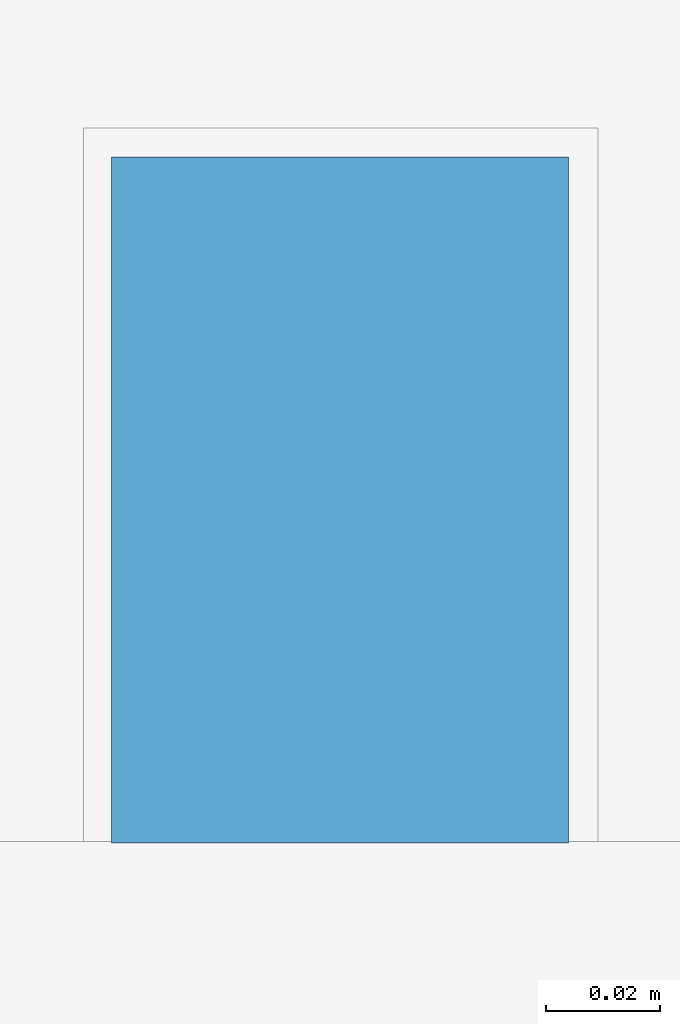
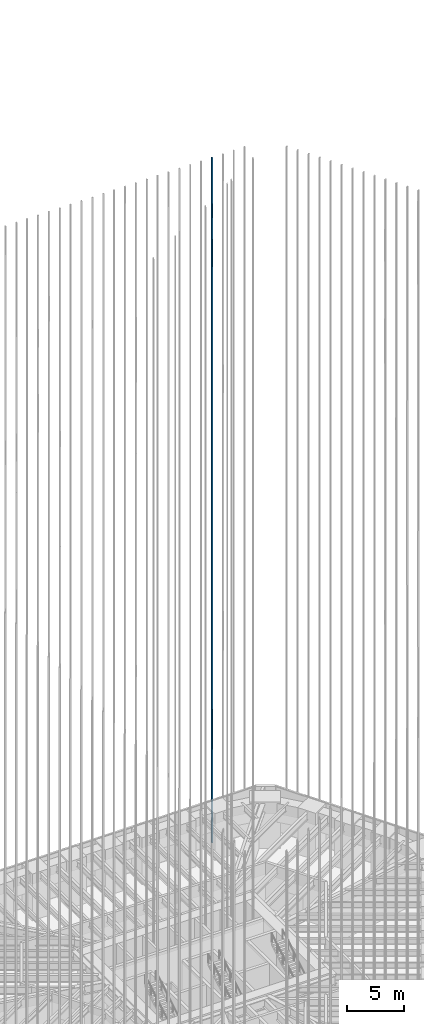
# One storey, part 212 of 228: 1 member, 1 element without a shape of its own.
"""IFC4 building model written with IfcOpenShell, lengths in metres."""

import ifcopenshell
import ifcopenshell.guid

model = None  # the IFC model being written
_history = None  # IfcOwnerHistory: only IFC2X3 demands one
_inside = {}  # id of a spatial element -> (the spatial element, [elements in it])
_under = {}  # id of a project, library or spatial element -> (it, [spatial elements below it])
_declared = {}  # id of a project -> (the project, [libraries it declares])
_typed = {}  # id of a type object -> (the type object, [elements of that type])
_made_of = {}  # id of a material, layer set ... -> (it, [elements and type objects made of it])


def new_model(schema):
    """Start an empty IFC model of exactly this schema.

    Asked for "IFC4X3", IfcOpenShell would pick the latest addendum, in which some entities
    have other attributes; the version numbers below select the first issue.
    IFC2X3 requires an IfcOwnerHistory on every rooted entity: one is made here for all.
    """
    global model, _history
    if schema == "IFC4X3":
        model = ifcopenshell.file(schema_version=(4, 3, 0, 0))
    else:
        model = ifcopenshell.file(schema=schema)
    _inside.clear()
    _under.clear()
    _declared.clear()
    _typed.clear()
    _made_of.clear()
    _history = None
    if model.schema == "IFC2X3":
        org = make("IfcOrganization", Name="unknown")
        user = make(
            "IfcPersonAndOrganization",
            ThePerson=make("IfcPerson", FamilyName="unknown"),
            TheOrganization=org,
        )
        app = make(
            "IfcApplication",
            ApplicationDeveloper=org,
            Version="unknown",
            ApplicationFullName="unknown",
            ApplicationIdentifier="unknown",
        )
        _history = make(
            "IfcOwnerHistory",
            OwningUser=user,
            OwningApplication=app,
            ChangeAction="ADDED",
            CreationDate=0,
        )
    return model


def make(cls, **values):
    """One entity of the class cls with the attributes given. An attribute that is None is left unset."""
    return model.create_entity(
        cls, **{name: value for name, value in values.items() if value is not None}
    )


def rooted(cls, **values):
    """An entity with a GlobalId (a new one), such as an element, a storey or a relation."""
    return make(cls, GlobalId=ifcopenshell.guid.new(), OwnerHistory=_history, **values)


def si_unit(unit_type, name, prefix=None):
    """IfcSIUnit, for example si_unit("LENGTHUNIT", "METRE", prefix="MILLI")."""
    return make("IfcSIUnit", UnitType=unit_type, Prefix=prefix, Name=name)


def assignment(units):
    """IfcUnitAssignment: the units of a project."""
    return None if units is None else make("IfcUnitAssignment", Units=units)


def point(xyz):
    """IfcCartesianPoint."""
    return None if xyz is None else make("IfcCartesianPoint", Coordinates=xyz)


def direction(xyz):
    """IfcDirection."""
    return None if xyz is None else make("IfcDirection", DirectionRatios=xyz)


def frame(location, z_axis=None, x_axis=None):
    """IfcAxis2Placement3D, a coordinate frame: its origin and axes. An axis left out is left unset."""
    return make(
        "IfcAxis2Placement3D",
        Location=point(location),
        Axis=direction(z_axis),
        RefDirection=direction(x_axis),
    )


def frame_2d(location, x_axis=None):
    """IfcAxis2Placement2D, a coordinate frame in the plane: its origin and x axis."""
    return make(
        "IfcAxis2Placement2D", Location=point(location), RefDirection=direction(x_axis)
    )


def origin():
    """The frame at (0, 0, 0) with its axes left unset."""
    return frame((0.0, 0.0, 0.0))


def origin_2d():
    """The frame at (0, 0) in the plane with its x axis left unset."""
    return frame_2d((0.0, 0.0))


def place(relative_to, where):
    """IfcLocalPlacement: puts the frame where relative to a parent placement (None: the world)."""
    return make(
        "IfcLocalPlacement", PlacementRelTo=relative_to, RelativePlacement=where
    )


def context(
    kind, dimensions, precision=None, world=None, true_north=None, identifier=None
):
    """IfcGeometricRepresentationContext, for example the 3D "Model" context."""
    return make(
        "IfcGeometricRepresentationContext",
        ContextIdentifier=identifier,
        ContextType=kind,
        CoordinateSpaceDimension=dimensions,
        Precision=precision,
        WorldCoordinateSystem=world,
        TrueNorth=true_north,
    )


def subcontext(parent, identifier, kind, view, scale=None):
    """IfcGeometricRepresentationSubContext, for example "Body" below "Model"."""
    return make(
        "IfcGeometricRepresentationSubContext",
        ContextIdentifier=identifier,
        ContextType=kind,
        ParentContext=parent,
        TargetScale=scale,
        TargetView=view,
    )


def project(units=None, contexts=None):
    """IfcProject with its units and contexts."""
    return rooted(
        "IfcProject",
        Name="project",
        RepresentationContexts=contexts,
        UnitsInContext=assignment(units),
    )


def spatial(cls, under=None, at=None, **own):
    """A site, building, storey or space (cls), placed at a placement, below another one or the project."""
    s = rooted(cls, ObjectPlacement=at, **own)
    if under is not None:
        _under.setdefault(under.id(), (under, []))[1].append(s)
    return s


def profile(cls, at=None, kind="AREA", **sizes):
    """A parametric profile (cls). Its sizes go by their IFC names, for example OverallWidth=200.0."""
    return make(cls, ProfileType=kind, Position=at, **sizes)


def rectangle(**sizes):
    """IfcRectangleProfileDef."""
    return profile("IfcRectangleProfileDef", **sizes)


def extrude(swept, where, along, depth):
    """IfcExtrudedAreaSolid: the profile swept, set in the frame where, extruded along a direction by depth."""
    return make(
        "IfcExtrudedAreaSolid",
        SweptArea=swept,
        Position=where,
        ExtrudedDirection=direction(along),
        Depth=depth,
    )


def shape(context_of_items, identifier, shape_type, items):
    """IfcShapeRepresentation: the items that make up one representation, for example the "Body"."""
    return make(
        "IfcShapeRepresentation",
        ContextOfItems=context_of_items,
        RepresentationIdentifier=identifier,
        RepresentationType=shape_type,
        Items=items,
    )


def material(Name=None, Category=None):
    """IfcMaterial."""
    return make("IfcMaterial", Name=Name, Category=Category)


def material_profile(
    of_material, cross_section, Name=None, Category=None, Priority=None
):
    """IfcMaterialProfile: a cross section and its material."""
    return make(
        "IfcMaterialProfile",
        Name=Name,
        Material=of_material,
        Profile=cross_section,
        Priority=Priority,
        Category=Category,
    )


def profile_set(profiles, Name=None, composite=None):
    """IfcMaterialProfileSet."""
    return make(
        "IfcMaterialProfileSet",
        Name=Name,
        MaterialProfiles=profiles,
        CompositeProfile=composite,
    )


def made_of(thing, what):
    """Note that an element or type object is made of a material, layer set ...; save() writes the relation."""
    if what is not None:
        _made_of.setdefault(what.id(), (what, []))[1].append(thing)
    return thing


def type_object(cls, material=None, **own):
    """A type object (cls), such as IfcWallType, which elements share."""
    return made_of(rooted(cls, **own), material)


def element(
    cls,
    number,
    at=None,
    inside=None,
    cuts=None,
    type_object=None,
    material=None,
    context=None,
    identifier="Body",
    shape_type=None,
    held_by="IfcProductDefinitionShape",
    body=None,
    shapes=None,
    **own,
):
    """One element of the class cls, such as IfcWall. Its Tag is "e" and its number.

    at: its placement. inside: the storey or other place that contains it. cuts: it is an
    opening in that element (IfcRelVoidsElement). A single representation is given by context,
    identifier, shape_type and body (its items); several are given by shapes. held_by: the class
    of the entity that holds the representations. save() writes the other relations.
    """
    e = rooted(cls, Tag="e%d" % number, ObjectPlacement=at, **own)
    if body is not None:
        shapes = [shape(context, identifier, shape_type, body)]
    if shapes is not None:
        e.Representation = make(held_by, Representations=shapes)
    if inside is not None:
        _inside.setdefault(inside.id(), (inside, []))[1].append(e)
    if cuts is not None:
        rooted(
            "IfcRelVoidsElement", RelatingBuildingElement=cuts, RelatedOpeningElement=e
        )
    if type_object is not None:
        _typed.setdefault(type_object.id(), (type_object, []))[1].append(e)
    return made_of(e, material)


def aggregate(whole, parts):
    """IfcRelAggregates: a whole, such as a stair, and the parts it consists of."""
    return rooted("IfcRelAggregates", RelatingObject=whole, RelatedObjects=parts)


def save(model, path):
    """Write the relations noted so far, then the file.

    IfcRelAggregates (storeys below a building ...), IfcRelContainedInSpatialStructure (elements
    in a storey), IfcRelDefinesByType, IfcRelAssociatesMaterial and IfcRelDeclares: one each for
    every whole, place, type object, material and project.
    """
    for whole, parts in _under.values():
        aggregate(whole, parts)
    for where, things in _inside.values():
        rooted(
            "IfcRelContainedInSpatialStructure",
            RelatedElements=things,
            RelatingStructure=where,
        )
    for kind, things in _typed.values():
        rooted("IfcRelDefinesByType", RelatedObjects=things, RelatingType=kind)
    for what, things in _made_of.values():
        rooted("IfcRelAssociatesMaterial", RelatedObjects=things, RelatingMaterial=what)
    for by, libraries in _declared.values():
        rooted("IfcRelDeclares", RelatingContext=by, RelatedDefinitions=libraries)
    model.write(path)


model = new_model("IFC4")

# Units and contexts
model_context = context("Model", 3, precision=1e-05, world=origin(), true_north=direction((0.0, 1.0)))
body_context = subcontext(model_context, "Body", "Model", "MODEL_VIEW")
ifc_project = project(units=[si_unit("LENGTHUNIT", "METRE"), si_unit("AREAUNIT", "SQUARE_METRE"), si_unit("VOLUMEUNIT", "CUBIC_METRE"), si_unit("PLANEANGLEUNIT", "RADIAN"), si_unit("MASSUNIT", "GRAM", prefix="KILO")], contexts=[model_context])

# Site, building, storey
site_placement = place(None, origin())
site = spatial("IfcSite", under=ifc_project, at=site_placement, CompositionType="ELEMENT")
building_placement = place(site_placement, origin())
building = spatial("IfcBuilding", under=site, at=building_placement, Name="Sandreach Pilgrim Tower", CompositionType="ELEMENT")
storey_placement = place(building_placement, frame((0.0, 0.0, 178.199951171875)))
storey = spatial("IfcBuildingStorey", under=building, at=storey_placement, Name="L44", CompositionType="ELEMENT", Elevation=178.199951171875)

# Curtain wall, member
ifc_material_1 = material(Name="Aluminium framed curtain wall", Category="aluminium")
curtain_wall_type = type_object("IfcCurtainWallType", Name="Upper hotel tower curtain wall", PredefinedType="NOTDEFINED", material=ifc_material_1)
curtain_wall_placement = place(storey_placement, origin())
curtain_wall = element("IfcCurtainWall", 1, at=curtain_wall_placement, inside=storey, type_object=curtain_wall_type, Name="CW-3 L44 N", PredefinedType="NOTDEFINED")
ifc_material_2 = material(Name="Extruded terracotta on aluminium core", Category="masonry")
ifc_material_profile = material_profile(ifc_material_2, rectangle(XDim=0.080078125, YDim=0.1201171875, at=origin_2d()), Name="TBN 80X120")
ifc_profile_set = profile_set([ifc_material_profile], Name="Extruded terracotta on aluminium core")
member_type = type_object("IfcMemberType", Name="Terracotta baguette north", PredefinedType="USERDEFINED", material=ifc_profile_set)
member_placement = place(storey_placement, frame((13.1982421875, 21.52001953125, 0.0), z_axis=(0.0, 0.0, 1.0), x_axis=(1.0, 0.0, 0.0)))
member = element("IfcMember", 2, at=member_placement, type_object=member_type, Name="Baguette Z3 N28", ObjectType="BAGUETTE", PredefinedType="USERDEFINED", context=body_context, shape_type="SweptSolid", body=[
    extrude(rectangle(XDim=0.080078125, YDim=0.1201171875, at=origin_2d()), origin(), (0.0, 0.0, 1.0), 73.239990234375),
])
aggregate(curtain_wall, [member])

save(model, "model.ifc")
